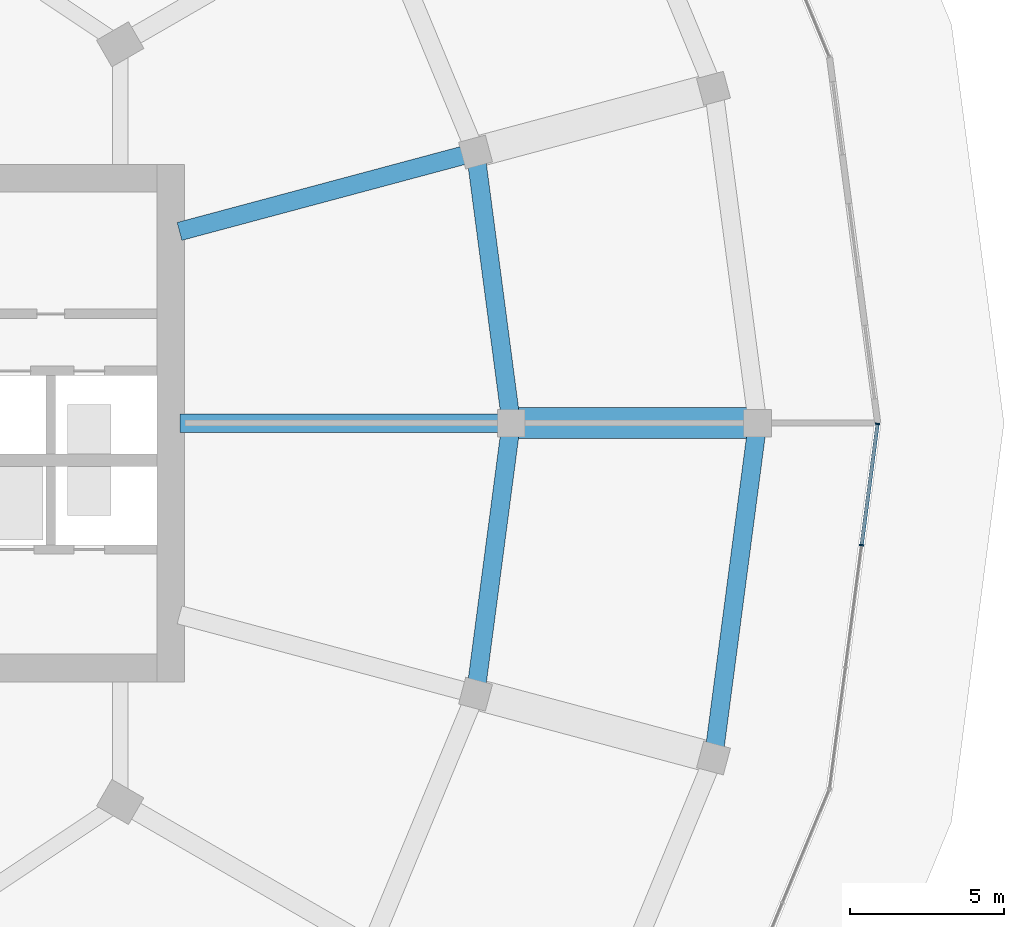
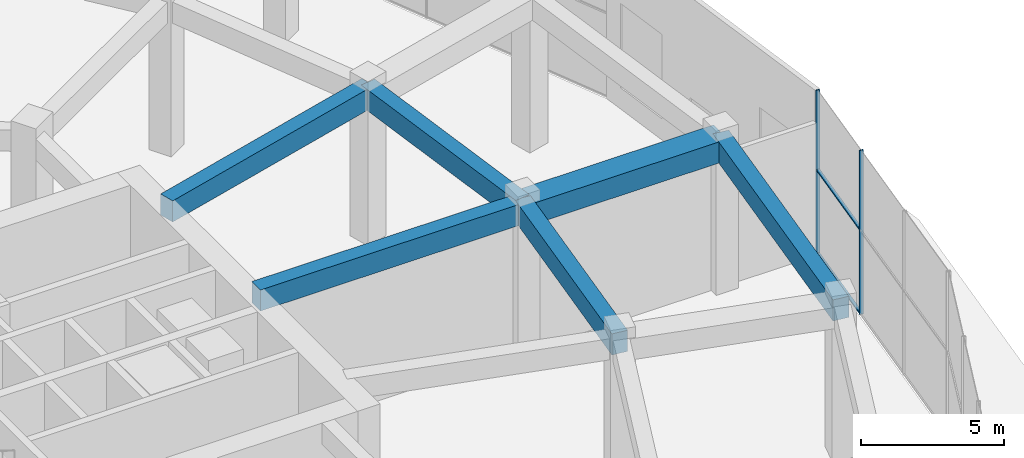
# One storey, part 16 of 31: 6 beams, 4 members, 1 element without a shape of its own.
"""IFC4 building model written with IfcOpenShell, lengths in metres."""

from ifc_helpers import new_model, si_unit, direction, frame, origin, origin_2d, place, context, subcontext, project, spatial, rectangle, extrude, material, layer, layer_set, material_profile, profile_set, type_object, element, aggregate, save


model = new_model("IFC4")

# Units and contexts
model_context = context("Model", 3, precision=1e-05, world=origin(), true_north=direction((0.0, 1.0)))
body_context = subcontext(model_context, "Body", "Model", "MODEL_VIEW")
ifc_project = project(units=[si_unit("LENGTHUNIT", "METRE"), si_unit("AREAUNIT", "SQUARE_METRE"), si_unit("VOLUMEUNIT", "CUBIC_METRE"), si_unit("PLANEANGLEUNIT", "RADIAN"), si_unit("MASSUNIT", "GRAM", prefix="KILO")], contexts=[model_context])

# Site, building, storey
site_placement = place(None, origin())
site = spatial("IfcSite", under=ifc_project, at=site_placement, CompositionType="ELEMENT")
building_placement = place(site_placement, origin())
building = spatial("IfcBuilding", under=site, at=building_placement, Name="Torre Brocal", CompositionType="ELEMENT")
storey_placement = place(building_placement, origin())
storey = spatial("IfcBuildingStorey", under=building, at=storey_placement, Name="L00", CompositionType="ELEMENT", Elevation=0.0)

# Curtain wall, members
ifc_material_1 = material(Name="Aluminium and glass", Category="aluminium")
ifc_layer = layer(ifc_material_1, 0.199951171875)
ifc_layer_set = layer_set([ifc_layer], Name="Aluminium and glass")
curtain_wall_type = type_object("IfcCurtainWallType", Name="CW-3 CURTAIN WALL 7000 HIGH", PredefinedType="NOTDEFINED", material=ifc_layer_set)
curtain_wall_placement = place(storey_placement, origin())
curtain_wall = element("IfcCurtainWall", 1, at=curtain_wall_placement, inside=storey, type_object=curtain_wall_type, Name="CW-3 RUN 24", PredefinedType="NOTDEFINED")
ifc_material_2 = material(Name="Aluminium, dark anodised", Category="aluminium")
ifc_material_profile_1 = material_profile(ifc_material_2, rectangle(XDim=0.14990234375, YDim=0.050048828125, at=origin_2d()), Name="CW-3 MULLION 50X150")
ifc_profile_set_1 = profile_set([ifc_material_profile_1], Name="Aluminium, dark anodised")
member_type_1 = type_object("IfcMemberType", Name="CW-3 MULLION 50X150", PredefinedType="MULLION", material=ifc_profile_set_1)
member_1_placement = place(storey_placement, frame((125.3779296875, 71.0400390625, 0.0), z_axis=(0.0, 0.0, 1.0), x_axis=(-0.991444861372, 0.130526192237, 0.0)))
member_1 = element("IfcMember", 2, at=member_1_placement, type_object=member_type_1, Name="CW3-1 mullion 3", PredefinedType="MULLION", context=body_context, shape_type="SweptSolid", body=[
    extrude(rectangle(XDim=0.14990234375, YDim=0.050048828125, at=origin_2d()), origin(), (0.0, 0.0, 1.0), 7.0),
])
member_2_placement = place(storey_placement, frame((125.895751953125, 74.97509765625, 0.0), z_axis=(0.0, 0.0, 1.0), x_axis=(-0.991444861372, 0.130526192237, 0.0)))
member_2 = element("IfcMember", 3, at=member_2_placement, type_object=member_type_1, Name="CW3-1 mullion 4", PredefinedType="MULLION", context=body_context, shape_type="SweptSolid", body=[
    extrude(rectangle(XDim=0.14990234375, YDim=0.050048828125, at=origin_2d()), origin(), (0.0, 0.0, 1.0), 7.0),
])
ifc_material_3 = material(Name="Aluminium, dark anodised", Category="aluminium")
ifc_material_profile_2 = material_profile(ifc_material_3, rectangle(XDim=0.1201171875, YDim=0.06005859375, at=origin_2d()), Name="CW-3 TRANSOM 120X60")
ifc_profile_set_2 = profile_set([ifc_material_profile_2], Name="Aluminium, dark anodised")
member_type_2 = type_object("IfcMemberType", Name="CW-3 TRANSOM 120X60", PredefinedType="USERDEFINED", material=ifc_profile_set_2)
member_3_placement = place(storey_placement, frame((125.381103515625, 71.06494140625, 0.030029296875), z_axis=(0.130510914119, 0.991446872654, 0.0), x_axis=(-0.991446872654, 0.130510914119, 0.0)))
member_3 = element("IfcMember", 4, at=member_3_placement, type_object=member_type_2, Name="CW3-1 transom 3.1", ObjectType="TRANSOM", PredefinedType="USERDEFINED", context=body_context, shape_type="SweptSolid", body=[
    extrude(rectangle(XDim=0.1201171875, YDim=0.06005859375, at=origin_2d()), origin(), (0.0, 0.0, 1.0), 3.9189453125),
])
member_4_placement = place(storey_placement, frame((125.381103515625, 71.06494140625, 3.60009765625), z_axis=(0.130510914119, 0.991446872654, 0.0), x_axis=(-0.991446872654, 0.130510914119, 0.0)))
member_4 = element("IfcMember", 5, at=member_4_placement, type_object=member_type_2, Name="CW3-1 transom 3.2", ObjectType="TRANSOM", PredefinedType="USERDEFINED", context=body_context, shape_type="SweptSolid", body=[
    extrude(rectangle(XDim=0.1201171875, YDim=0.06005859375, at=origin_2d()), origin(), (0.0, 0.0, 1.0), 3.9189453125),
])
aggregate(curtain_wall, [member_1, member_2, member_3, member_4])

# Beams
ifc_material_4 = material(Name="Concrete C50", Category="concrete")
ifc_material_profile_3 = material_profile(ifc_material_4, rectangle(XDim=0.60009765625, YDim=0.89990234375, at=origin_2d()), Name="RC 600X900")
ifc_profile_set_3 = profile_set([ifc_material_profile_3], Name="Concrete C50")
beam_type_1 = type_object("IfcBeamType", Name="RC BEAM 600X900 C50 TOP 6550", PredefinedType="BEAM", material=ifc_profile_set_3)
beam_1_placement = place(storey_placement, frame((120.56884765625, 64.129638671875, 6.10009765625), z_axis=(0.130529968843, 0.991444364165, 0.0), x_axis=(-0.991444364165, 0.130529968843, 0.0)))
element("IfcBeam", 6, at=beam_1_placement, inside=storey, type_object=beam_type_1, Name="Beam BT-07", PredefinedType="BEAM", context=body_context, shape_type="SweptSolid", body=[
    extrude(rectangle(XDim=0.60009765625, YDim=0.89990234375, at=origin_2d()), origin(), (0.0, 0.0, 1.0), 10.964111328125),
])
for number, where, z_axis, x_axis, name in (
    (7, (114.0, 75.0, 6.10009765625), (-0.130518550679, 0.991445867372, 0.0), (-0.991445867372, -0.130518550679, 0.0), "Beam BT-07"),
    (8, (112.841552734375, 66.2001953125, 6.10009765625), (0.130518550679, 0.991445867372, 0.0), (-0.991445867372, 0.130518550679, 0.0), "Beam BT-07"),
):
    element("IfcBeam", number, at=place(storey_placement, frame(where, z_axis=z_axis, x_axis=x_axis)), inside=storey, type_object=beam_type_1, Name=name, PredefinedType="BEAM", context=body_context, shape_type="SweptSolid", body=[
        extrude(rectangle(XDim=0.60009765625, YDim=0.89990234375, at=origin_2d()), origin(), (0.0, 0.0, 1.0), 8.875732421875),
    ])
beam_2_placement = place(storey_placement, frame((103.25, 75.0, 6.10009765625), z_axis=(1.0, 0.0, 0.0), x_axis=(0.0, 1.0, 0.0)))
element("IfcBeam", 9, at=beam_2_placement, inside=storey, type_object=beam_type_1, Name="Beam BT-07", PredefinedType="BEAM", context=body_context, shape_type="SweptSolid", body=[
    extrude(rectangle(XDim=0.60009765625, YDim=0.89990234375, at=origin_2d()), origin(), (0.0, 0.0, 1.0), 10.75),
])
beam_3_placement = place(storey_placement, frame((103.23046875, 81.224609375, 6.10009765625), z_axis=(0.965928009134, 0.258810898477, 0.0), x_axis=(-0.258810898477, 0.965928009134, 0.0)))
element("IfcBeam", 10, at=beam_3_placement, inside=storey, type_object=beam_type_1, Name="Beam BT-07", PredefinedType="BEAM", context=body_context, shape_type="SweptSolid", body=[
    extrude(rectangle(XDim=0.60009765625, YDim=0.89990234375, at=origin_2d()), origin(), (0.0, 0.0, 1.0), 9.9501953125),
])
ifc_material_5 = material(Name="Concrete C60", Category="concrete")
ifc_material_profile_4 = material_profile(ifc_material_5, rectangle(XDim=1.0, YDim=0.89990234375, at=origin_2d()), Name="RC 1000X900")
ifc_profile_set_4 = profile_set([ifc_material_profile_4], Name="Concrete C60")
beam_type_2 = type_object("IfcBeamType", Name="RC TRANSFER GIRDER 1000X900 C60 TOP 6550", PredefinedType="BEAM", material=ifc_profile_set_4)
beam_4_placement = place(storey_placement, frame((114.0, 75.0, 6.10009765625), z_axis=(1.0, 0.0, 0.0), x_axis=(0.0, 1.0, 0.0)))
element("IfcBeam", 11, at=beam_4_placement, inside=storey, type_object=beam_type_2, Name="Beam TG-01", PredefinedType="BEAM", context=body_context, shape_type="SweptSolid", body=[
    extrude(rectangle(XDim=1.0, YDim=0.89990234375, at=origin_2d()), origin(), (0.0, 0.0, 1.0), 8.0),
])

save(model, "model.ifc")
